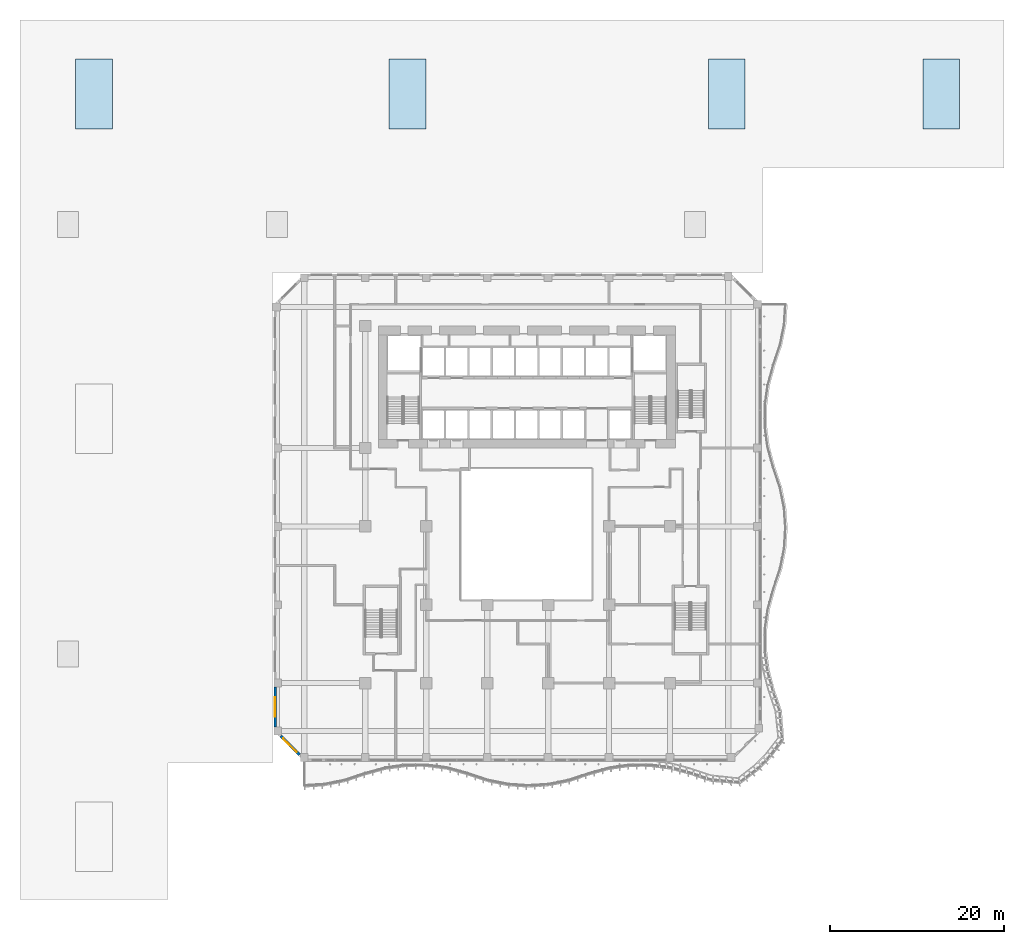
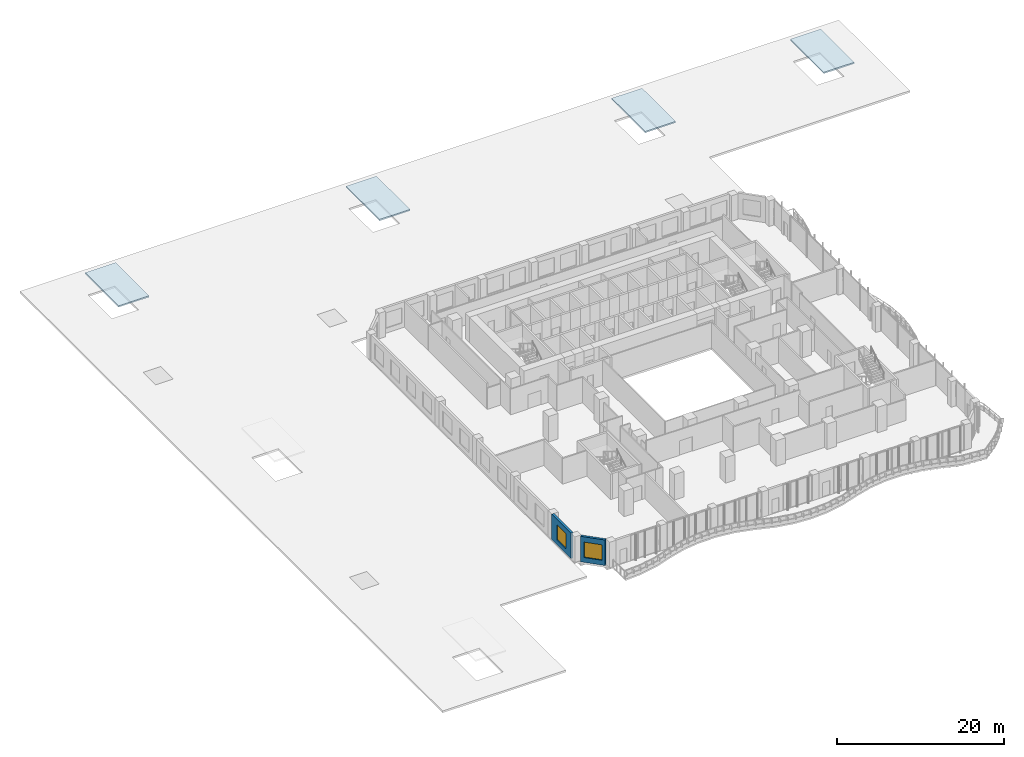
# One storey, part 14 of 29: 4 slabs, 2 walls, 2 windows, 2 openings.
"""IFC4 building model written with IfcOpenShell, lengths in metres."""

from ifc_helpers import new_model, si_unit, direction, frame, frame_2d, origin, place, context, subcontext, project, spatial, polyline, rectangle, outline, extrude, source, transform, mapped, material, layer, layer_set, type_object, element, fill, save


model = new_model("IFC4")

# Units and contexts
model_context = context("Model", 3, precision=1e-05, world=origin(), true_north=direction((0.0, 1.0)))
body_context = subcontext(model_context, "Body", "Model", "MODEL_VIEW")
ifc_project = project(units=[si_unit("LENGTHUNIT", "METRE"), si_unit("AREAUNIT", "SQUARE_METRE"), si_unit("VOLUMEUNIT", "CUBIC_METRE"), si_unit("PLANEANGLEUNIT", "RADIAN"), si_unit("MASSUNIT", "GRAM", prefix="KILO")], contexts=[model_context])

# Site, building, storey
site_placement = place(None, origin())
site = spatial("IfcSite", under=ifc_project, at=site_placement, CompositionType="ELEMENT")
building_placement = place(site_placement, origin())
building = spatial("IfcBuilding", under=site, at=building_placement, Name="Kilnfold Tower and Market Hall", CompositionType="ELEMENT")
storey_placement = place(building_placement, frame((0.0, 0.0, 27.0)))
storey = spatial("IfcBuildingStorey", under=building, at=storey_placement, Name="L05", CompositionType="ELEMENT", Elevation=27.0)

# Slabs
ifc_material_1 = material(Name="Concrete C40/50", Category="concrete")
ifc_layer_1 = layer(ifc_material_1, 0.199951171875)
ifc_layer_set_1 = layer_set([ifc_layer_1], Name="Concrete C40/50")
slab_type = type_object("IfcSlabType", Name="HEADHOUSE ROOF 200", PredefinedType="ROOF", material=ifc_layer_set_1)
shared_shape_1 = source(origin(), body_context, "Body", "SweptSolid", [
    extrude(outline(polyline([(-50.75, 44.64990234375), (-46.550048828125, 44.64990234375), (-46.550048828125, 52.64990234375), (-50.75, 52.64990234375), (-50.75, 44.64990234375)])), origin(), (0.0, 0.0, 1.0), 0.199951171875),
])
slab_1_placement = place(storey_placement, frame((0.0, 0.0, 3.0)))
element("IfcSlab", 1, at=slab_1_placement, inside=storey, type_object=slab_type, Name="Stair head-house roof MS3", PredefinedType="ROOF", context=body_context, shape_type="MappedRepresentation", body=[
    mapped(shared_shape_1, transform((0.0, 0.0, 0.0))),
])
shared_shape_2 = source(origin(), body_context, "Body", "SweptSolid", [
    extrude(outline(polyline([(-14.75, 44.64990234375), (-10.550048828125, 44.64990234375), (-10.550048828125, 52.64990234375), (-14.75, 52.64990234375), (-14.75, 44.64990234375)])), origin(), (0.0, 0.0, 1.0), 0.199951171875),
])
slab_2_placement = place(storey_placement, frame((0.0, 0.0, 3.0)))
element("IfcSlab", 2, at=slab_2_placement, inside=storey, type_object=slab_type, Name="Stair head-house roof MS4", PredefinedType="ROOF", context=body_context, shape_type="MappedRepresentation", body=[
    mapped(shared_shape_2, transform((0.0, 0.0, 0.0))),
])
shared_shape_3 = source(origin(), body_context, "Body", "SweptSolid", [
    extrude(outline(polyline([(21.89990234375, 44.64990234375), (26.10009765625, 44.64990234375), (26.10009765625, 52.64990234375), (21.89990234375, 52.64990234375), (21.89990234375, 44.64990234375)])), origin(), (0.0, 0.0, 1.0), 0.199951171875),
])
slab_3_placement = place(storey_placement, frame((0.0, 0.0, 3.0)))
element("IfcSlab", 3, at=slab_3_placement, inside=storey, type_object=slab_type, Name="Stair head-house roof MS5", PredefinedType="ROOF", context=body_context, shape_type="MappedRepresentation", body=[
    mapped(shared_shape_3, transform((0.0, 0.0, 0.0))),
])
shared_shape_4 = source(origin(), body_context, "Body", "SweptSolid", [
    extrude(outline(polyline([(46.550048828125, 44.64990234375), (50.75, 44.64990234375), (50.75, 52.64990234375), (46.550048828125, 52.64990234375), (46.550048828125, 44.64990234375)])), origin(), (0.0, 0.0, 1.0), 0.199951171875),
])
slab_4_placement = place(storey_placement, frame((0.0, 0.0, 3.0)))
element("IfcSlab", 4, at=slab_4_placement, inside=storey, type_object=slab_type, Name="Stair head-house roof MS6", PredefinedType="ROOF", context=body_context, shape_type="MappedRepresentation", body=[
    mapped(shared_shape_4, transform((0.0, 0.0, 0.0))),
])

# Wall, opening, window
ifc_material_2 = material(Name="Precast concrete C50/60", Category="concrete")
ifc_layer_2 = layer(ifc_material_2, 0.300048828125)
ifc_layer_set_2 = layer_set([ifc_layer_2], Name="Precast concrete C50/60")
wall_type = type_object("IfcWallType", Name="PRECAST WALL 300", PredefinedType="SOLIDWALL", material=ifc_layer_set_2)
shared_shape_5 = source(origin(), body_context, "Body", "SweptSolid", [
    extrude(rectangle(XDim=4.60009765625, YDim=0.300048828125, at=frame_2d((2.300048828125, 0.0))), origin(), (0.0, 0.0, 1.0), 3.719970703125),
])
wall_1_placement = place(storey_placement, frame((-27.85009765625, -19.449951171875, 0.0), z_axis=(0.0, 0.0, 1.0), x_axis=(0.0, -1.0, 0.0)))
wall_1 = element("IfcWall", 5, at=wall_1_placement, inside=storey, type_object=wall_type, Name="External wall L05 W", PredefinedType="SOLIDWALL", context=body_context, shape_type="MappedRepresentation", body=[
    mapped(shared_shape_5, transform((0.0, 0.0, 0.0))),
])
opening_1_placement = place(wall_1_placement, frame((1.199951171875, 0.0, 0.699951171875)))
opening_1 = element("IfcOpeningElement", 6, at=opening_1_placement, cuts=wall_1, Name="Opening W1", PredefinedType="OPENING", context=body_context, shape_type="SweptSolid", body=[
    extrude(rectangle(XDim=2.199951171875, YDim=2.25, at=frame_2d((1.10009765625, 1.125))), frame((0.0, 0.16015625, 0.0), z_axis=(0.0, -1.0, 0.0), x_axis=(1.0, 0.0, 0.0)), (0.0, 0.0, 1.0), 0.320068359375),
])
ifc_material_3 = material(Name="Aluminium frame and double glazing", Category="aluminium")
window_type = type_object("IfcWindowType", Name="WINDOW W1 2200X2250", PartitioningType="SINGLE_PANEL", PredefinedType="WINDOW", material=ifc_material_3)
window_1_placement = place(opening_1_placement, origin())
window_1 = element("IfcWindow", 7, at=window_1_placement, inside=storey, type_object=window_type, Name="Window W1 L05 W-1", OverallHeight=2.25, OverallWidth=2.199951171875, PartitioningType="SINGLE_PANEL", PredefinedType="WINDOW", context=body_context, shape_type="SweptSolid", body=[
    extrude(rectangle(XDim=2.199951171875, YDim=2.25, at=frame_2d((1.10009765625, 1.125))), frame((0.0, 0.030029296875, 0.0), z_axis=(0.0, -1.0, 0.0), x_axis=(1.0, 0.0, 0.0)), (0.0, 0.0, 1.0), 0.06005859375),
])
fill(opening_1, window_1)

shared_shape_6 = source(origin(), body_context, "Body", "SweptSolid", [
    extrude(rectangle(XDim=3.040771484375, YDim=0.300048828125, at=frame_2d((1.5205078125, 0.0))), origin(), (0.0, 0.0, 1.0), 3.719970703125),
])
wall_2_placement = place(storey_placement, frame((-27.218994140625, -25.06884765625, 0.0), z_axis=(0.0, 0.0, 1.0), x_axis=(0.707106781187, -0.707106781187, 0.0)))
wall_2 = element("IfcWall", 8, at=wall_2_placement, inside=storey, type_object=wall_type, Name="External wall L05 SW", PredefinedType="SOLIDWALL", context=body_context, shape_type="MappedRepresentation", body=[
    mapped(shared_shape_6, transform((0.0, 0.0, 0.0))),
])
opening_2_placement = place(wall_2_placement, frame((0.42041015625, 0.0, 0.699951171875)))
opening_2 = element("IfcOpeningElement", 9, at=opening_2_placement, cuts=wall_2, Name="Opening W1", PredefinedType="OPENING", context=body_context, shape_type="SweptSolid", body=[
    extrude(rectangle(XDim=2.199951171875, YDim=2.25, at=frame_2d((1.10009765625, 1.125))), frame((0.0, 0.16015625, 0.0), z_axis=(0.0, -1.0, 0.0), x_axis=(1.0, 0.0, 0.0)), (0.0, 0.0, 1.0), 0.320068359375),
])
window_2_placement = place(opening_2_placement, origin())
window_2 = element("IfcWindow", 10, at=window_2_placement, inside=storey, type_object=window_type, Name="Window W1 L05 SW-1", OverallHeight=2.25, OverallWidth=2.199951171875, PartitioningType="SINGLE_PANEL", PredefinedType="WINDOW", context=body_context, shape_type="SweptSolid", body=[
    extrude(rectangle(XDim=2.199951171875, YDim=2.25, at=frame_2d((1.10009765625, 1.125))), frame((0.0, 0.030029296875, 0.0), z_axis=(0.0, -1.0, 0.0), x_axis=(1.0, 0.0, 0.0)), (0.0, 0.0, 1.0), 0.06005859375),
])
fill(opening_2, window_2)

save(model, "model.ifc")
